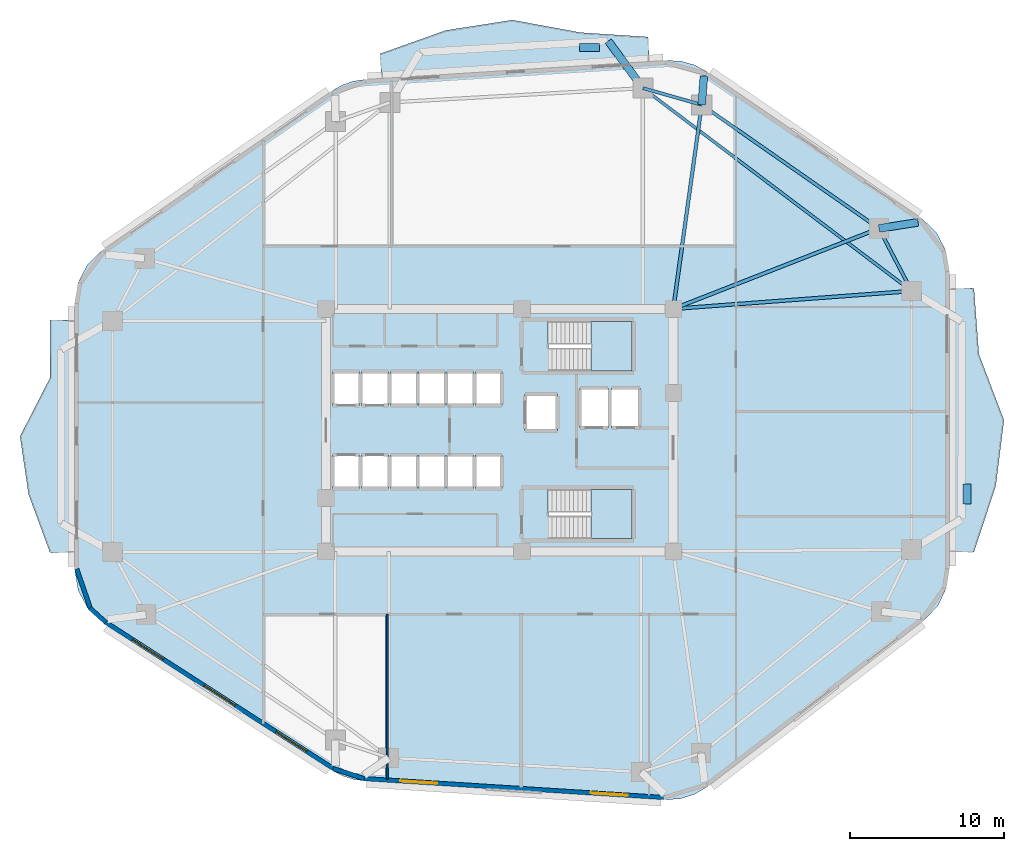
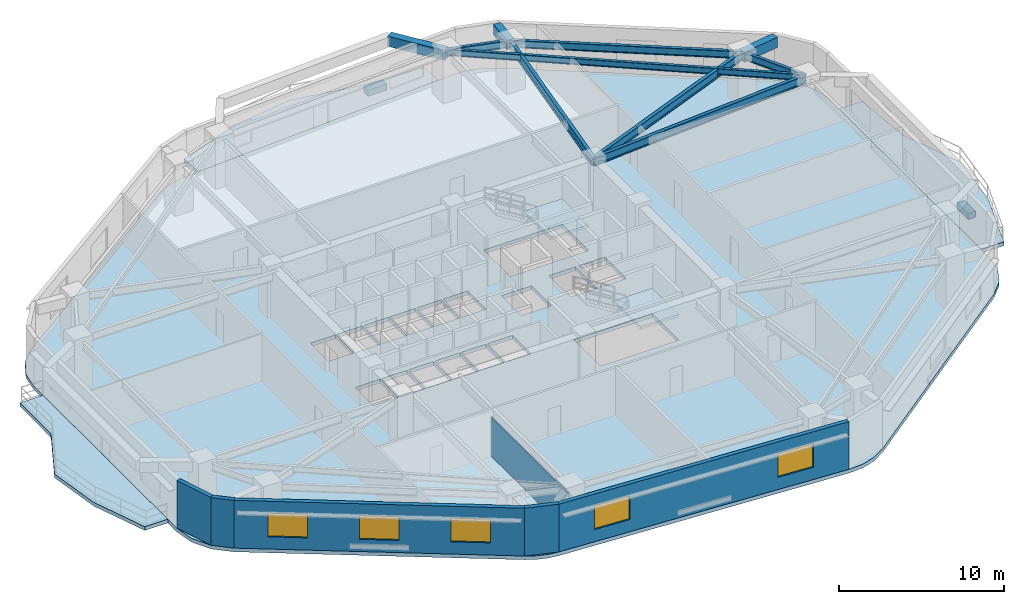
# One storey, part 2 of 9: 10 beams, 6 slabs, 6 walls, 5 windows, 2 plates, 5 openings, 2 elements without a shape of their own.
"""IFC4 building model written with IfcOpenShell, lengths in metres."""

from ifc_helpers import new_model, si_unit, direction, frame, frame_2d, origin, origin_2d, place, context, subcontext, project, spatial, polyline, rectangle, i_section, outline, extrude, material, layer, layer_set, material_profile, profile_set, type_object, element, fill, aggregate, save


model = new_model("IFC4")

# Units and contexts
model_context = context("Model", 3, precision=1e-05, world=origin(), true_north=direction((0.0, 1.0)))
body_context = subcontext(model_context, "Body", "Model", "MODEL_VIEW")
ifc_project = project(units=[si_unit("LENGTHUNIT", "METRE"), si_unit("AREAUNIT", "SQUARE_METRE"), si_unit("VOLUMEUNIT", "CUBIC_METRE"), si_unit("PLANEANGLEUNIT", "RADIAN"), si_unit("MASSUNIT", "GRAM", prefix="KILO")], contexts=[model_context])

# Site, building, storey
site_placement = place(None, origin())
site = spatial("IfcSite", under=ifc_project, at=site_placement, CompositionType="ELEMENT")
building_placement = place(site_placement, origin())
building = spatial("IfcBuilding", under=site, at=building_placement, Name="Zulverin Broadcast Headquarters", CompositionType="ELEMENT")
storey_placement = place(building_placement, frame((0.0, 0.0, 63.0)))
storey = spatial("IfcBuildingStorey", under=building, at=storey_placement, Name="L15", CompositionType="ELEMENT", Elevation=63.0)

# Beams
ifc_material_1 = material(Name="Concrete C40/50", Category="concrete")
ifc_material_profile_1 = material_profile(ifc_material_1, rectangle(XDim=0.5, YDim=0.75, at=origin_2d()), Name="Concrete C40/50", Category="concrete")
ifc_profile_set_1 = profile_set([ifc_material_profile_1], Name="Concrete C40/50")
beam_type_1 = type_object("IfcBeamType", Name="BM-RC-500x750", PredefinedType="BEAM", material=ifc_profile_set_1)
beam_1_placement = place(storey_placement, frame((61.630126953125, 38.298583984375, 3.14990234375), z_axis=(0.988133444256, 0.153597839639, 0.0), x_axis=(-0.153597839639, 0.988133444256, 0.0)))
element("IfcBeam", 1, at=beam_1_placement, inside=storey, type_object=beam_type_1, Name="L16 Plate Overhang Back-Spanned Beam OVR-07", PredefinedType="BEAM", context=body_context, shape_type="SweptSolid", body=[
    extrude(rectangle(XDim=0.5, YDim=0.75, at=origin_2d()), origin(), (0.0, 0.0, 1.0), 2.57177734375),
])
beam_2_placement = place(storey_placement, frame((50.121826171875, 46.325927734375, 3.14990234375), z_axis=(0.073023006252, 0.997330256514, 0.0), x_axis=(-0.997330256514, 0.073023006252, 0.0)))
element("IfcBeam", 2, at=beam_2_placement, inside=storey, type_object=beam_type_1, Name="L16 Plate Overhang Back-Spanned Beam OVR-08", PredefinedType="BEAM", context=body_context, shape_type="SweptSolid", body=[
    extrude(rectangle(XDim=0.5, YDim=0.75, at=origin_2d()), origin(), (0.0, 0.0, 1.0), 1.875732421875),
])
beam_3_placement = place(storey_placement, frame((46.30224609375, 47.4091796875, 3.14990234375), z_axis=(-0.592925064887, 0.805257640404, 0.0), x_axis=(-0.805257640404, -0.592925064887, 0.0)))
element("IfcBeam", 3, at=beam_3_placement, inside=storey, type_object=beam_type_1, Name="L16 Balcony Column-Framed Cantilever BAL_N-1", PredefinedType="BEAM", context=body_context, shape_type="SweptSolid", body=[
    extrude(rectangle(XDim=0.5, YDim=0.75, at=origin_2d()), origin(), (0.0, 0.0, 1.0), 3.800048828125),
])
ifc_material_2 = material(Name="Structural steel S355JR", Category="steel")
ifc_material_profile_2 = material_profile(ifc_material_2, i_section(OverallWidth=0.19287109375, OverallDepth=0.46728515625, WebThickness=0.011474609375, FlangeThickness=0.01953125, at=origin_2d()), Name="Structural steel S355JR", Category="steel")
ifc_profile_set_2 = profile_set([ifc_material_profile_2], Name="Structural steel S355JR")
beam_type_2 = type_object("IfcBeamType", Name="BM-UB-457", PredefinedType="JOIST", material=ifc_profile_set_2)
beam_4_placement = place(storey_placement, frame((63.75, 34.235107421875, 3.29150390625), z_axis=(-0.798058136838, 0.602580459546, 0.0), x_axis=(-0.602580459546, -0.798058136838, 0.0)))
element("IfcBeam", 4, at=beam_4_placement, inside=storey, type_object=beam_type_2, Name="L15 Chordal Floor Joist J-02", PredefinedType="JOIST", context=body_context, shape_type="SweptSolid", body=[
    extrude(i_section(OverallWidth=0.19287109375, OverallDepth=0.46728515625, WebThickness=0.011474609375, FlangeThickness=0.01953125, at=origin_2d()), origin(), (0.0, 0.0, 1.0), 21.86279296875),
])
ifc_material_profile_3 = material_profile(ifc_material_2, i_section(OverallWidth=0.2119140625, OverallDepth=0.54443359375, WebThickness=0.0126953125, FlangeThickness=0.021240234375, at=origin_2d()), Name="Structural steel S355JR", Category="steel")
ifc_profile_set_3 = profile_set([ifc_material_profile_3], Name="Structural steel S355JR")
beam_type_3 = type_object("IfcBeamType", Name="BM-UB-533", PredefinedType="SPANDREL", material=ifc_profile_set_3)
beam_5_placement = place(storey_placement, frame((63.75, 34.235107421875, 3.252685546875), z_axis=(-0.462531417359, 0.886602891917, 0.0), x_axis=(-0.886602891917, -0.462531417359, 0.0)))
element("IfcBeam", 5, at=beam_5_placement, inside=storey, type_object=beam_type_3, Name="L15 Perimeter Spandrel Beam SP-06", PredefinedType="SPANDREL", context=body_context, shape_type="SweptSolid", body=[
    extrude(i_section(OverallWidth=0.2119140625, OverallDepth=0.54443359375, WebThickness=0.0126953125, FlangeThickness=0.021240234375, at=origin_2d()), origin(), (0.0, 0.0, 1.0), 4.583251953125),
])
beam_6_placement = place(storey_placement, frame((61.630126953125, 38.298583984375, 3.252685546875), z_axis=(-0.820183915206, 0.5720999434, 0.0), x_axis=(-0.5720999434, -0.820183915206, 0.0)))
element("IfcBeam", 6, at=beam_6_placement, inside=storey, type_object=beam_type_3, Name="L15 Perimeter Spandrel Beam SP-07", PredefinedType="SPANDREL", context=body_context, shape_type="SweptSolid", body=[
    extrude(i_section(OverallWidth=0.2119140625, OverallDepth=0.54443359375, WebThickness=0.0126953125, FlangeThickness=0.021240234375, at=origin_2d()), origin(), (0.0, 0.0, 1.0), 14.03125),
])
beam_7_placement = place(storey_placement, frame((50.121826171875, 46.325927734375, 3.252685546875), z_axis=(-0.962058150721, 0.272844487999, 0.0), x_axis=(-0.272844487999, -0.962058150721, 0.0)))
element("IfcBeam", 7, at=beam_7_placement, inside=storey, type_object=beam_type_3, Name="L15 Perimeter Spandrel Beam SP-08", PredefinedType="SPANDREL", context=body_context, shape_type="SweptSolid", body=[
    extrude(i_section(OverallWidth=0.2119140625, OverallDepth=0.54443359375, WebThickness=0.0126953125, FlangeThickness=0.021240234375, at=origin_2d()), origin(), (0.0, 0.0, 1.0), 3.97021484375),
])
ifc_material_profile_4 = material_profile(ifc_material_2, i_section(OverallWidth=0.230224609375, OverallDepth=0.6171875, WebThickness=0.01318359375, FlangeThickness=0.022216796875, at=origin_2d()), Name="Structural steel S355JR", Category="steel")
ifc_profile_set_4 = profile_set([ifc_material_profile_4], Name="Structural steel S355JR")
beam_type_4 = type_object("IfcBeamType", Name="BM-UB-610", PredefinedType="BEAM", material=ifc_profile_set_4)
beam_8_placement = place(storey_placement, frame((48.27490234375, 33.074951171875, 3.21630859375), z_axis=(0.997201597387, 0.074759442003, 0.0), x_axis=(-0.074759442003, 0.997201597387, 0.0)))
element("IfcBeam", 8, at=beam_8_placement, inside=storey, type_object=beam_type_4, Name="L15 Radial Primary Floor Beam RB-06", PredefinedType="BEAM", context=body_context, shape_type="SweptSolid", body=[
    extrude(i_section(OverallWidth=0.230224609375, OverallDepth=0.6171875, WebThickness=0.01318359375, FlangeThickness=0.022216796875, at=origin_2d()), origin(), (0.0, 0.0, 1.0), 15.5185546875),
])
beam_9_placement = place(storey_placement, frame((48.27490234375, 33.074951171875, 3.21630859375), z_axis=(0.931297778153, 0.364258765723, 0.0), x_axis=(-0.364258765723, 0.931297778153, 0.0)))
element("IfcBeam", 9, at=beam_9_placement, inside=storey, type_object=beam_type_4, Name="L15 Radial Primary Floor Beam RB-07", PredefinedType="BEAM", context=body_context, shape_type="SweptSolid", body=[
    extrude(i_section(OverallWidth=0.230224609375, OverallDepth=0.6171875, WebThickness=0.01318359375, FlangeThickness=0.022216796875, at=origin_2d()), origin(), (0.0, 0.0, 1.0), 14.34033203125),
])
beam_10_placement = place(storey_placement, frame((48.27490234375, 33.074951171875, 3.21630859375), z_axis=(0.138045758193, 0.990425852169, 0.0), x_axis=(-0.990425852169, 0.138045758193, 0.0)))
element("IfcBeam", 10, at=beam_10_placement, inside=storey, type_object=beam_type_4, Name="L15 Radial Primary Floor Beam RB-08", PredefinedType="BEAM", context=body_context, shape_type="SweptSolid", body=[
    extrude(i_section(OverallWidth=0.230224609375, OverallDepth=0.6171875, WebThickness=0.01318359375, FlangeThickness=0.022216796875, at=origin_2d()), origin(), (0.0, 0.0, 1.0), 13.379150390625),
])

# Plates
ifc_material_3 = material(Name="Precast concrete C45/55", Category="concrete")
ifc_layer_1 = layer(ifc_material_3, 0.449951171875, Name="Precast concrete C45/55", Category="concrete")
ifc_layer_set_1 = layer_set([ifc_layer_1], Name="Precast concrete C45/55")
plate_type = type_object("IfcPlateType", Name="PT-01_PRECAST_GFRC_TREE_PLANTER", PredefinedType="USERDEFINED", material=ifc_layer_set_1)
for number, where, z_axis, x_axis, name in (
    (11, (67.35009765625, 21.05224609375, -0.0048828125), (0.0, 0.0, 1.0), (0.0, 1.0, 0.0), "L15 Precast GFRC Tree Planter BAL_E"),
    (12, (42.825927734375, 50.04638671875, -0.0048828125), (0.0, 0.0, 1.0), (1.0, 0.0, 0.0), "L15 Precast GFRC Tree Planter BAL_N"),
):
    element("IfcPlate", number, at=place(storey_placement, frame(where, z_axis=z_axis, x_axis=x_axis)), inside=storey, type_object=plate_type, Name=name, ObjectType="PLANTER", PredefinedType="USERDEFINED", context=body_context, shape_type="SweptSolid", body=[
        extrude(rectangle(XDim=1.300048828125, YDim=0.5, at=origin_2d()), origin(), (0.0, 0.0, 1.0), 0.449951171875),
    ])

# Slabs
ifc_layer_2 = layer(ifc_material_1, 0.27490234375, Name="Concrete C40/50", Category="concrete")
ifc_layer_set_2 = layer_set([ifc_layer_2], Name="Concrete C40/50")
slab_type_1 = type_object("IfcSlabType", Name="SLB-BAL-275", PredefinedType="FLOOR", material=ifc_layer_set_2)
slab_1_placement = place(storey_placement, frame((0.0, 0.0, -0.27490234375)))
element("IfcSlab", 13, at=slab_1_placement, inside=storey, type_object=slab_type_1, Name="L15 Cantilevered Planted Balcony Slab BAL_E", PredefinedType="FLOOR", context=body_context, shape_type="SweptSolid", body=[
    extrude(outline(polyline([(66.199951171875, 34.41455078125), (66.199951171875, 17.283447265625), (67.800048828125, 17.283447265625), (69.211181640625, 21.566162109375), (69.75, 25.848876953125), (68.121337890625, 30.131591796875), (67.800048828125, 34.41455078125), (66.199951171875, 34.41455078125)])), origin(), (0.0, 0.0, 1.0), 0.27490234375),
])
slab_2_placement = place(storey_placement, frame((0.0, 0.0, -0.27490234375)))
element("IfcSlab", 14, at=slab_2_placement, inside=storey, type_object=slab_type_1, Name="L15 Cantilevered Planted Balcony Slab BAL_N", PredefinedType="FLOOR", context=body_context, shape_type="SweptSolid", body=[
    extrude(outline(polyline([(29.330078125, 48.04296875), (46.72509765625, 49.139892578125), (46.62451171875, 50.73681640625), (42.240478515625, 51.0224609375), (37.8232421875, 51.8349609375), (33.49951171875, 51.160888671875), (29.2294921875, 49.639892578125), (29.330078125, 48.04296875)])), origin(), (0.0, 0.0, 1.0), 0.27490234375),
])
slab_3_placement = place(storey_placement, frame((0.0, 0.0, -0.27490234375)))
element("IfcSlab", 15, at=slab_3_placement, inside=storey, type_object=slab_type_1, Name="L15 Cantilevered Planted Balcony Slab BAL_W", PredefinedType="FLOOR", context=body_context, shape_type="SweptSolid", body=[
    extrude(outline(polyline([(9.39990234375, 17.24365234375), (9.39990234375, 32.344482421875), (7.800048828125, 32.344482421875), (7.78515625, 28.569091796875), (5.85009765625, 24.7939453125), (6.40869140625, 21.018798828125), (7.800048828125, 17.24365234375), (9.39990234375, 17.24365234375)])), origin(), (0.0, 0.0, 1.0), 0.27490234375),
])

# Stair, slab
stair_type = type_object("IfcStairType", Name="ST-CORE-1500", PredefinedType="HALF_TURN_STAIR", material=ifc_material_1)
stair_1_placement = place(storey_placement, origin())
stair_1 = element("IfcStair", 16, at=stair_1_placement, inside=storey, type_object=stair_type, Name="L15 Core Exit Stair ST-1", PredefinedType="HALF_TURN_STAIR")
ifc_layer_3 = layer(ifc_material_1, 0.199951171875, Name="Concrete C40/50", Category="concrete")
ifc_layer_set_3 = layer_set([ifc_layer_3], Name="Concrete C40/50")
slab_type_2 = type_object("IfcSlabType", Name="SLB-ST-LND200", PredefinedType="LANDING", material=ifc_layer_set_3)
slab_4_placement = place(storey_placement, frame((0.0, 0.0, 1.699951171875)))
slab_4 = element("IfcSlab", 17, at=slab_4_placement, type_object=slab_type_2, Name="ST-1 landing 1", PredefinedType="LANDING", context=body_context, shape_type="SweptSolid", body=[
    extrude(outline(polyline([(42.929931640625, 29.050048828125), (45.60009765625, 29.050048828125), (45.60009765625, 32.25), (42.929931640625, 32.25), (42.929931640625, 29.050048828125)])), origin(), (0.0, 0.0, 1.0), 0.199951171875),
])
aggregate(stair_1, [slab_4])

stair_2_placement = place(storey_placement, origin())
stair_2 = element("IfcStair", 18, at=stair_2_placement, inside=storey, type_object=stair_type, Name="L15 Core Exit Stair ST-2", PredefinedType="HALF_TURN_STAIR")
slab_5_placement = place(storey_placement, frame((0.0, 0.0, 1.699951171875)))
slab_5 = element("IfcSlab", 19, at=slab_5_placement, type_object=slab_type_2, Name="ST-2 landing 1", PredefinedType="LANDING", context=body_context, shape_type="SweptSolid", body=[
    extrude(outline(polyline([(42.929931640625, 18.14990234375), (45.60009765625, 18.14990234375), (45.60009765625, 21.35009765625), (42.929931640625, 21.35009765625), (42.929931640625, 18.14990234375)])), origin(), (0.0, 0.0, 1.0), 0.199951171875),
])
aggregate(stair_2, [slab_5])

# Slab
ifc_layer_4 = layer(ifc_material_1, 0.27490234375, Name="Concrete C40/50", Category="concrete")
ifc_layer_set_4 = layer_set([ifc_layer_4], Name="Concrete C40/50")
slab_type_3 = type_object("IfcSlabType", Name="SLB-TWR-275", PredefinedType="FLOOR", material=ifc_layer_set_4)
slab_6_placement = place(storey_placement, frame((0.0, 0.0, -0.27490234375)))
element("IfcSlab", 20, at=slab_6_placement, inside=storey, type_object=slab_type_3, Name="L15 Main Structural Floor Slab", PredefinedType="FLOOR", context=body_context, shape_type="SweptSolid", body=[
    extrude(outline(polyline([(26.146484375, 3.089599609375), (26.774658203125, 2.75732421875), (27.44970703125, 2.535888671875), (28.152587890625, 2.431396484375), (47.690673828125, 1.19921875), (48.69189453125, 1.256103515625), (49.6513671875, 1.548828125), (50.51416015625, 2.060546875), (64.55908203125, 12.85302734375), (65.44140625, 13.77587890625), (66.005859375, 14.92138671875), (66.199951171875, 16.183349609375), (66.199951171875, 35.514404296875), (65.981689453125, 36.85107421875), (65.349365234375, 38.048583984375), (64.368896484375, 38.982666015625), (50.456298828125, 48.485595703125), (49.639404296875, 48.920166015625), (48.747314453125, 49.165283203125), (47.822998046875, 49.208984375), (28.232421875, 47.9736328125), (27.481201171875, 47.857421875), (26.76318359375, 47.607666015625), (26.102294921875, 47.232666015625), (11.20556640625, 36.89501953125), (10.238037109375, 35.9619140625), (9.614990234375, 34.77099609375), (9.39990234375, 33.4443359375), (9.39990234375, 16.1435546875), (9.631103515625, 14.769775390625), (10.298583984375, 13.547119140625), (11.32958984375, 12.610107421875), (26.146484375, 3.089599609375)]), holes=[polyline([(40.155029296875, 30.75), (40.130126953125, 30.75), (40.130126953125, 32.25), (45.60009765625, 32.25), (45.60009765625, 29.050048828125), (40.155029296875, 29.050048828125), (40.155029296875, 30.75)]), polyline([(40.155029296875, 19.85009765625), (40.130126953125, 19.85009765625), (40.130126953125, 21.35009765625), (45.60009765625, 21.35009765625), (45.60009765625, 18.14990234375), (40.155029296875, 18.14990234375), (40.155029296875, 19.85009765625)]), polyline([(26.14990234375, 26.800048828125), (27.89990234375, 26.800048828125), (27.89990234375, 29.0), (26.14990234375, 29.0), (26.14990234375, 26.800048828125)]), polyline([(28.02001953125, 26.800048828125), (29.77001953125, 26.800048828125), (29.77001953125, 29.0), (28.02001953125, 29.0), (28.02001953125, 26.800048828125)]), polyline([(26.14990234375, 21.39990234375), (27.89990234375, 21.39990234375), (27.89990234375, 23.60009765625), (26.14990234375, 23.60009765625), (26.14990234375, 21.39990234375)]), polyline([(28.02001953125, 21.39990234375), (29.77001953125, 21.39990234375), (29.77001953125, 23.60009765625), (28.02001953125, 23.60009765625), (28.02001953125, 21.39990234375)]), polyline([(29.89990234375, 21.39990234375), (31.6201171875, 21.39990234375), (31.6201171875, 23.60009765625), (29.89990234375, 23.60009765625), (29.89990234375, 21.39990234375)]), polyline([(31.739990234375, 21.39990234375), (33.4599609375, 21.39990234375), (33.4599609375, 23.60009765625), (31.739990234375, 23.60009765625), (31.739990234375, 21.39990234375)]), polyline([(33.580078125, 21.39990234375), (35.300048828125, 21.39990234375), (35.300048828125, 23.60009765625), (33.580078125, 23.60009765625), (33.580078125, 21.39990234375)]), polyline([(35.419921875, 21.39990234375), (37.139892578125, 21.39990234375), (37.139892578125, 23.60009765625), (35.419921875, 23.60009765625), (35.419921875, 21.39990234375)]), polyline([(29.89990234375, 26.800048828125), (31.6201171875, 26.800048828125), (31.6201171875, 29.0), (29.89990234375, 29.0), (29.89990234375, 26.800048828125)]), polyline([(31.739990234375, 26.800048828125), (33.4599609375, 26.800048828125), (33.4599609375, 29.0), (31.739990234375, 29.0), (31.739990234375, 26.800048828125)]), polyline([(33.580078125, 26.800048828125), (35.300048828125, 26.800048828125), (35.300048828125, 29.0), (33.580078125, 29.0), (33.580078125, 26.800048828125)]), polyline([(35.419921875, 26.800048828125), (37.139892578125, 26.800048828125), (37.139892578125, 29.0), (35.419921875, 29.0), (35.419921875, 26.800048828125)]), polyline([(42.199951171875, 25.35009765625), (44.050048828125, 25.35009765625), (44.050048828125, 27.949951171875), (42.199951171875, 27.949951171875), (42.199951171875, 25.35009765625)]), polyline([(44.25, 25.35009765625), (46.10009765625, 25.35009765625), (46.10009765625, 27.949951171875), (44.25, 27.949951171875), (44.25, 25.35009765625)]), polyline([(38.64990234375, 25.14990234375), (40.75, 25.14990234375), (40.75, 27.550048828125), (38.64990234375, 27.550048828125), (38.64990234375, 25.14990234375)])]), origin(), (0.0, 0.0, 1.0), 0.27490234375),
])

# Wall, openings, windows
ifc_material_4 = material(Name="Insulated pale-metal clad concrete spandrel C40/50", Category="concrete")
ifc_layer_5 = layer(ifc_material_4, 0.280029296875, Name="Insulated pale-metal clad concrete spandrel C40/50", Category="concrete")
ifc_layer_set_5 = layer_set([ifc_layer_5], Name="Insulated pale-metal clad concrete spandrel C40/50")
wall_type_1 = type_object("IfcWallType", Name="WL-EXT-280", PredefinedType="STANDARD", material=ifc_layer_set_5)
wall_1_placement = place(storey_placement, frame((28.161376953125, 2.571044921875, 0.0), z_axis=(0.0, 0.0, 1.0), x_axis=(0.998017288298, -0.06294038654, 0.0)))
wall_1 = element("IfcWall", 21, at=wall_1_placement, inside=storey, type_object=wall_type_1, Name="L15 Pale-Metal Clad Spandrel Wall 1", PredefinedType="STANDARD", context=body_context, shape_type="SweptSolid", body=[
    extrude(rectangle(XDim=19.576904296875, YDim=0.280029296875, at=frame_2d((9.78857421875, 0.0))), origin(), (0.0, 0.0, 1.0), 3.52490234375),
])
opening_1_placement = place(wall_1_placement, frame((2.396240234375, 0.0, 0.89990234375)))
opening_1 = element("IfcOpeningElement", 22, at=opening_1_placement, cuts=wall_1, Name="Opening W-L15-E11", PredefinedType="OPENING", context=body_context, shape_type="SweptSolid", body=[
    extrude(rectangle(XDim=2.39990234375, YDim=1.75, at=frame_2d((1.199951171875, 0.875))), frame((0.0, 0.14990234375, 0.0), z_axis=(0.0, -1.0, 0.0), x_axis=(1.0, 0.0, 0.0)), (0.0, 0.0, 1.0), 0.300048828125),
])
opening_2_placement = place(wall_1_placement, frame((14.78076171875, 0.0, 0.89990234375)))
opening_2 = element("IfcOpeningElement", 23, at=opening_2_placement, cuts=wall_1, Name="Opening W-L15-E12", PredefinedType="OPENING", context=body_context, shape_type="SweptSolid", body=[
    extrude(rectangle(XDim=2.39990234375, YDim=1.75, at=frame_2d((1.199951171875, 0.875))), frame((0.0, 0.14990234375, 0.0), z_axis=(0.0, -1.0, 0.0), x_axis=(1.0, 0.0, 0.0)), (0.0, 0.0, 1.0), 0.300048828125),
])
ifc_material_5 = material(Name="Pale anodized aluminium frame with solar-control low-E double glazing", Category="aluminium")
window_type = type_object("IfcWindowType", Name="WIN-RIB-2400", PartitioningType="SINGLE_PANEL", PredefinedType="WINDOW", material=ifc_material_5)
window_1_placement = place(opening_1_placement, origin())
window_1 = element("IfcWindow", 24, at=window_1_placement, inside=storey, type_object=window_type, Name="L15 Ribbon Glazing Window 1 1", OverallHeight=1.75, OverallWidth=2.39990234375, PartitioningType="SINGLE_PANEL", PredefinedType="WINDOW", context=body_context, shape_type="SweptSolid", body=[
    extrude(rectangle(XDim=2.39990234375, YDim=1.75, at=frame_2d((1.199951171875, 0.875))), frame((0.0, 0.030029296875, 0.0), z_axis=(0.0, -1.0, 0.0), x_axis=(1.0, 0.0, 0.0)), (0.0, 0.0, 1.0), 0.06005859375),
])
fill(opening_1, window_1)
window_2_placement = place(opening_2_placement, origin())
window_2 = element("IfcWindow", 25, at=window_2_placement, inside=storey, type_object=window_type, Name="L15 Ribbon Glazing Window 1 2", OverallHeight=1.75, OverallWidth=2.39990234375, PartitioningType="SINGLE_PANEL", PredefinedType="WINDOW", context=body_context, shape_type="SweptSolid", body=[
    extrude(rectangle(XDim=2.39990234375, YDim=1.75, at=frame_2d((1.199951171875, 0.875))), frame((0.0, 0.030029296875, 0.0), z_axis=(0.0, -1.0, 0.0), x_axis=(1.0, 0.0, 0.0)), (0.0, 0.0, 1.0), 0.06005859375),
])
fill(opening_2, window_2)

wall_2_placement = place(storey_placement, frame((11.4052734375, 12.727783203125, 0.0), z_axis=(0.0, 0.0, 1.0), x_axis=(0.841304564637, -0.540561402175, 0.0)))
wall_2 = element("IfcWall", 26, at=wall_2_placement, inside=storey, type_object=wall_type_1, Name="L15 Pale-Metal Clad Spandrel Wall 8", PredefinedType="STANDARD", context=body_context, shape_type="SweptSolid", body=[
    extrude(rectangle(XDim=17.61181640625, YDim=0.280029296875, at=frame_2d((8.805908203125, 0.0))), origin(), (0.0, 0.0, 1.0), 3.52490234375),
])
opening_3_placement = place(wall_2_placement, frame((2.068603515625, 0.0, 0.89990234375)))
opening_3 = element("IfcOpeningElement", 27, at=opening_3_placement, cuts=wall_2, Name="Opening W-L15-E81", PredefinedType="OPENING", context=body_context, shape_type="SweptSolid", body=[
    extrude(rectangle(XDim=2.39990234375, YDim=1.75, at=frame_2d((1.199951171875, 0.875))), frame((0.0, 0.14990234375, 0.0), z_axis=(0.0, -1.0, 0.0), x_axis=(1.0, 0.0, 0.0)), (0.0, 0.0, 1.0), 0.300048828125),
])
opening_4_placement = place(wall_2_placement, frame((7.60595703125, 0.0, 0.89990234375)))
opening_4 = element("IfcOpeningElement", 28, at=opening_4_placement, cuts=wall_2, Name="Opening W-L15-E82", PredefinedType="OPENING", context=body_context, shape_type="SweptSolid", body=[
    extrude(rectangle(XDim=2.39990234375, YDim=1.75, at=frame_2d((1.199951171875, 0.875))), frame((0.0, 0.14990234375, 0.0), z_axis=(0.0, -1.0, 0.0), x_axis=(1.0, 0.0, 0.0)), (0.0, 0.0, 1.0), 0.300048828125),
])
opening_5_placement = place(wall_2_placement, frame((13.143310546875, 0.0, 0.89990234375)))
opening_5 = element("IfcOpeningElement", 29, at=opening_5_placement, cuts=wall_2, Name="Opening W-L15-E83", PredefinedType="OPENING", context=body_context, shape_type="SweptSolid", body=[
    extrude(rectangle(XDim=2.39990234375, YDim=1.75, at=frame_2d((1.199951171875, 0.875))), frame((0.0, 0.14990234375, 0.0), z_axis=(0.0, -1.0, 0.0), x_axis=(1.0, 0.0, 0.0)), (0.0, 0.0, 1.0), 0.300048828125),
])
window_3_placement = place(opening_3_placement, origin())
window_3 = element("IfcWindow", 30, at=window_3_placement, inside=storey, type_object=window_type, Name="L15 Ribbon Glazing Window 8 1", OverallHeight=1.75, OverallWidth=2.39990234375, PartitioningType="SINGLE_PANEL", PredefinedType="WINDOW", context=body_context, shape_type="SweptSolid", body=[
    extrude(rectangle(XDim=2.39990234375, YDim=1.75, at=frame_2d((1.199951171875, 0.875))), frame((0.0, 0.030029296875, 0.0), z_axis=(0.0, -1.0, 0.0), x_axis=(1.0, 0.0, 0.0)), (0.0, 0.0, 1.0), 0.06005859375),
])
fill(opening_3, window_3)
window_4_placement = place(opening_4_placement, origin())
window_4 = element("IfcWindow", 31, at=window_4_placement, inside=storey, type_object=window_type, Name="L15 Ribbon Glazing Window 8 2", OverallHeight=1.75, OverallWidth=2.39990234375, PartitioningType="SINGLE_PANEL", PredefinedType="WINDOW", context=body_context, shape_type="SweptSolid", body=[
    extrude(rectangle(XDim=2.39990234375, YDim=1.75, at=frame_2d((1.199951171875, 0.875))), frame((0.0, 0.030029296875, 0.0), z_axis=(0.0, -1.0, 0.0), x_axis=(1.0, 0.0, 0.0)), (0.0, 0.0, 1.0), 0.06005859375),
])
fill(opening_4, window_4)
window_5_placement = place(opening_5_placement, origin())
window_5 = element("IfcWindow", 32, at=window_5_placement, inside=storey, type_object=window_type, Name="L15 Ribbon Glazing Window 8 3", OverallHeight=1.75, OverallWidth=2.39990234375, PartitioningType="SINGLE_PANEL", PredefinedType="WINDOW", context=body_context, shape_type="SweptSolid", body=[
    extrude(rectangle(XDim=2.39990234375, YDim=1.75, at=frame_2d((1.199951171875, 0.875))), frame((0.0, 0.030029296875, 0.0), z_axis=(0.0, -1.0, 0.0), x_axis=(1.0, 0.0, 0.0)), (0.0, 0.0, 1.0), 0.06005859375),
])
fill(opening_5, window_5)

# Walls
wall_3_placement = place(storey_placement, frame((9.5322265625, 16.189453125, 0.0), z_axis=(0.0, 0.0, 1.0), x_axis=(0.32708309668, -0.944995580871, 0.0)))
element("IfcWall", 33, at=wall_3_placement, inside=storey, type_object=wall_type_1, Name="L15 Wind-Shaped Corner Spandrel Wall 7-1", PredefinedType="STANDARD", context=body_context, shape_type="SweptSolid", body=[
    extrude(rectangle(XDim=2.74755859375, YDim=0.280029296875, at=frame_2d((1.373779296875, 0.0))), origin(), (0.0, 0.0, 1.0), 3.52490234375),
])
wall_4_placement = place(storey_placement, frame((10.392822265625, 13.650634765625, 0.0), z_axis=(0.0, 0.0, 1.0), x_axis=(0.74003521851, -0.672568119498, 0.0)))
element("IfcWall", 34, at=wall_4_placement, inside=storey, type_object=wall_type_1, Name="L15 Wind-Shaped Corner Spandrel Wall 7-2", PredefinedType="STANDARD", context=body_context, shape_type="SweptSolid", body=[
    extrude(rectangle(XDim=1.39306640625, YDim=0.280029296875, at=frame_2d((0.696533203125, 0.0))), origin(), (0.0, 0.0, 1.0), 3.52490234375),
])
wall_5_placement = place(storey_placement, frame((26.18994140625, 3.22265625, 0.0), z_axis=(0.0, 0.0, 1.0), x_axis=(0.95016442175, -0.311749212734, 0.0)))
element("IfcWall", 35, at=wall_5_placement, inside=storey, type_object=wall_type_1, Name="L15 Wind-Shaped Corner Spandrel Wall 8-1", PredefinedType="STANDARD", context=body_context, shape_type="SweptSolid", body=[
    extrude(rectangle(XDim=2.111328125, YDim=0.280029296875, at=frame_2d((1.0556640625, 0.0))), origin(), (0.0, 0.0, 1.0), 3.52490234375),
])
ifc_material_6 = material(Name="Fire-rated acoustic laminated glass screen", Category="glass")
ifc_layer_6 = layer(ifc_material_6, 0.10009765625, Name="Fire-rated acoustic laminated glass screen", Category="glass")
ifc_layer_set_6 = layer_set([ifc_layer_6], Name="Fire-rated acoustic laminated glass screen")
wall_type_2 = type_object("IfcWallType", Name="WL-GLAZ-100", PredefinedType="PARTITIONING", material=ifc_layer_set_6)
wall_6_placement = place(storey_placement, frame((29.699951171875, 2.538818359375, 0.0), z_axis=(0.0, 0.0, 1.0), x_axis=(0.0, 1.0, 0.0)))
element("IfcWall", 36, at=wall_6_placement, inside=storey, type_object=wall_type_2, Name="L15 Room Partition Wall RP-05", PredefinedType="PARTITIONING", context=body_context, shape_type="SweptSolid", body=[
    extrude(rectangle(XDim=10.711181640625, YDim=0.10009765625, at=frame_2d((5.35546875, 0.0))), origin(), (0.0, 0.0, 1.0), 2.90771484375),
])

save(model, "model.ifc")
